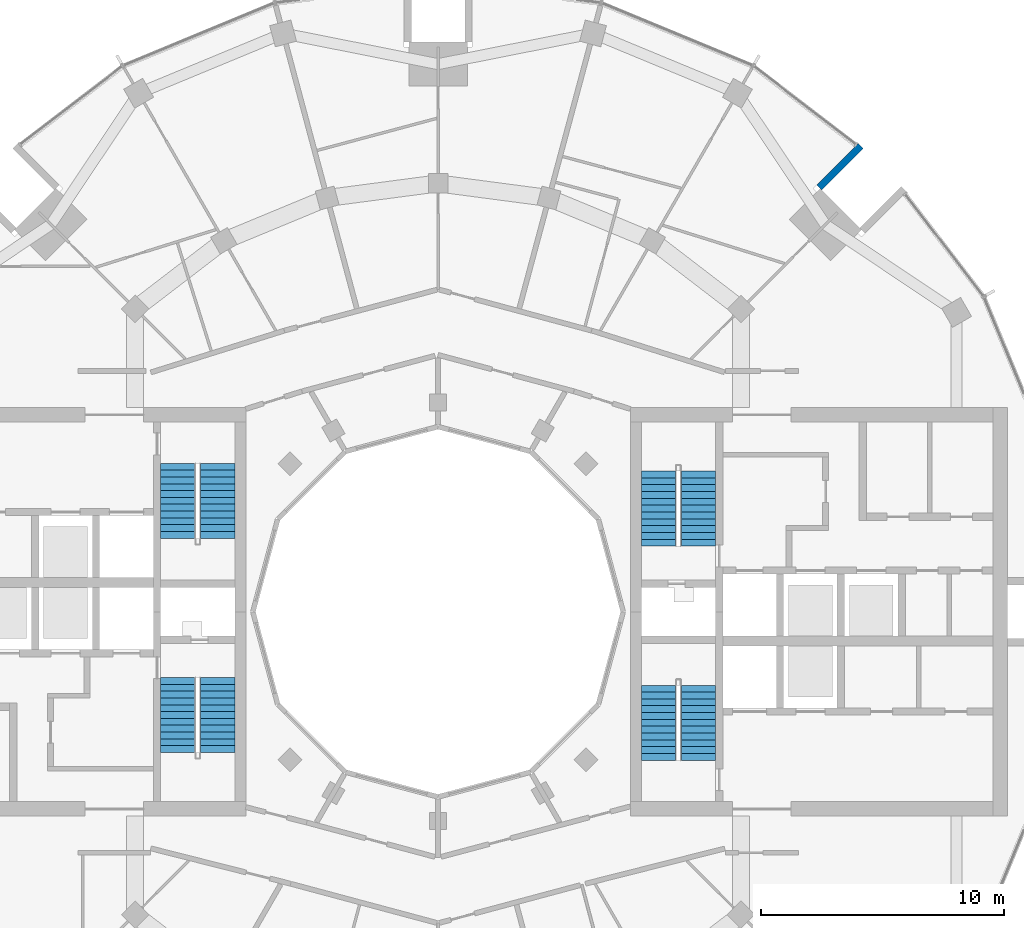
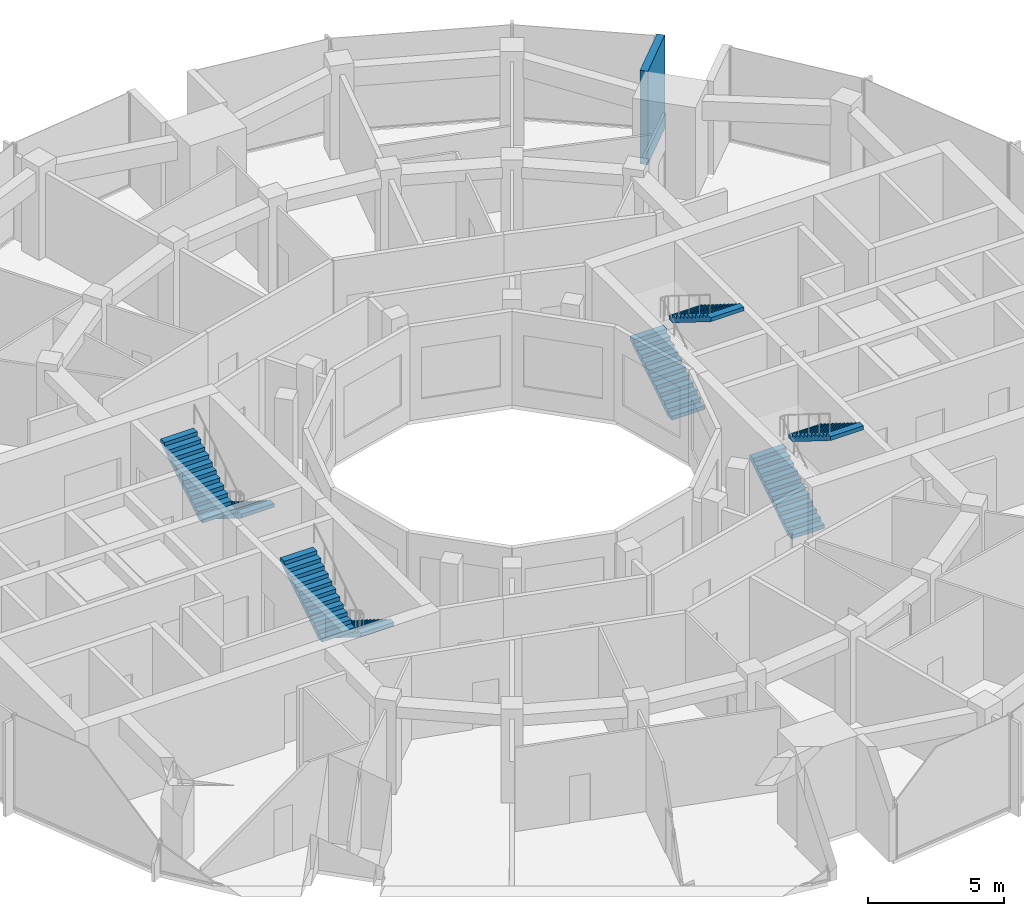
# One storey, part 13 of 15: 8 stair flights, 1 wall, 4 elements without a shape of their own.
"""IFC4 building model written with IfcOpenShell, lengths in metres."""

from ifc_helpers import new_model, si_unit, direction, frame, frame_2d, origin, place, context, subcontext, project, spatial, polyline, rectangle, outline, extrude, material, layer, layer_set, type_object, element, aggregate, save


model = new_model("IFC4")

# Units and contexts
model_context = context("Model", 3, precision=1e-05, world=origin(), true_north=direction((0.0, 1.0)))
body_context = subcontext(model_context, "Body", "Model", "MODEL_VIEW")
ifc_project = project(units=[si_unit("LENGTHUNIT", "METRE"), si_unit("AREAUNIT", "SQUARE_METRE"), si_unit("VOLUMEUNIT", "CUBIC_METRE"), si_unit("PLANEANGLEUNIT", "RADIAN"), si_unit("MASSUNIT", "GRAM", prefix="KILO")], contexts=[model_context])

# Site, building, storey
site_placement = place(None, origin())
site = spatial("IfcSite", under=ifc_project, at=site_placement, CompositionType="ELEMENT")
building_placement = place(site_placement, origin())
building = spatial("IfcBuilding", under=site, at=building_placement, Name="Torre Brocal", CompositionType="ELEMENT")
storey_placement = place(building_placement, frame((0.0, 0.0, 237.300048828125)))
storey = spatial("IfcBuildingStorey", under=building, at=storey_placement, Name="L54", CompositionType="ELEMENT", Elevation=237.300048828125)

# Wall
ifc_material_1 = material(Name="Concrete C60", Category="concrete")
ifc_layer_1 = layer(ifc_material_1, 0.300048828125)
ifc_layer_set_1 = layer_set([ifc_layer_1], Name="Concrete C60")
wall_type = type_object("IfcWallType", Name="NOTCH RETURN WALL 300 C60", PredefinedType="NOTDEFINED", material=ifc_layer_set_1)
wall_placement = place(storey_placement, frame((95.662353515625, 92.43017578125, 0.0), z_axis=(0.0, 0.0, 1.0), x_axis=(0.707106781187, 0.707106781187, 0.0)))
element("IfcWall", 1, at=wall_placement, inside=storey, type_object=wall_type, Name="NOTCH RETURN WALL", PredefinedType="NOTDEFINED", context=body_context, shape_type="SweptSolid", body=[
    extrude(rectangle(XDim=2.415771484375, YDim=0.300048828125, at=frame_2d((1.2080078125, 0.0))), origin(), (0.0, 0.0, 1.0), 4.199951171875),
])

# Stair, stair flights
ifc_material_2 = material(Name="Concrete C50", Category="concrete")
stair_type = type_object("IfcStairType", Name="EXIT STAIR", PredefinedType="HALF_TURN_STAIR", material=ifc_material_2)
stair_1_placement = place(storey_placement, origin())
stair_1 = element("IfcStair", 2, at=stair_1_placement, inside=storey, type_object=stair_type, Name="EXIT STAIR ST1", PredefinedType="HALF_TURN_STAIR")
ifc_material_3 = material(Name="Concrete C50", Category="concrete")
ifc_layer_2 = layer(ifc_material_3, 0.14990234375)
ifc_layer_set_2 = layer_set([ifc_layer_2], Name="Concrete C50")
stair_flight_type = type_object("IfcStairFlightType", Name="STAIR FLIGHT", PredefinedType="STRAIGHT", material=ifc_layer_set_2)
stair_flight_1_placement = place(storey_placement, frame((89.050048828125, 77.699951171875, 0.0), z_axis=(0.0, 0.0, 1.0), x_axis=(0.0, 1.0, 0.0)))
stair_flight_1 = element("IfcStairFlight", 3, at=stair_flight_1_placement, type_object=stair_flight_type, Name="ST1 flight 1", NumberOfRisers=12, NumberOfTreads=11, PredefinedType="STRAIGHT", RiserHeight=0.175, TreadLength=0.28, context=body_context, shape_type="SweptSolid", body=[
    extrude(outline(polyline([(0.0, 0.0), (0.0, 0.175048828125), (0.280029296875, 0.175048828125), (0.280029296875, 0.35009765625), (0.56005859375, 0.35009765625), (0.56005859375, 0.52490234375), (0.840087890625, 0.52490234375), (0.840087890625, 0.699951171875), (1.1201171875, 0.699951171875), (1.1201171875, 0.875), (1.39990234375, 0.875), (1.39990234375, 1.050048828125), (1.679931640625, 1.050048828125), (1.679931640625, 1.22509765625), (1.9599609375, 1.22509765625), (1.9599609375, 1.39990234375), (2.239990234375, 1.39990234375), (2.239990234375, 1.574951171875), (2.52001953125, 1.574951171875), (2.52001953125, 1.75), (2.800048828125, 1.75), (2.800048828125, 1.925048828125), (3.080078125, 1.925048828125), (3.080078125, 2.10009765625), (3.080078125, 1.748291015625), (0.28271484375, 0.0), (0.0, 0.0)])), frame((0.0, 0.699951171875, 0.0), z_axis=(0.0, -1.0, 0.0), x_axis=(1.0, 0.0, 0.0)), (0.0, 0.0, 1.0), 1.39990234375),
])
stair_flight_2_placement = place(storey_placement, frame((90.699951171875, 80.780029296875, 2.099853515625), z_axis=(0.0, 0.0, 1.0), x_axis=(0.0, -1.0, 0.0)))
stair_flight_2 = element("IfcStairFlight", 4, at=stair_flight_2_placement, type_object=stair_flight_type, Name="ST1 flight 2", NumberOfRisers=12, NumberOfTreads=11, PredefinedType="STRAIGHT", RiserHeight=0.175, TreadLength=0.28, context=body_context, shape_type="SweptSolid", body=[
    extrude(outline(polyline([(0.0, 0.0), (0.0, 0.175048828125), (0.280029296875, 0.175048828125), (0.280029296875, 0.35009765625), (0.56005859375, 0.35009765625), (0.56005859375, 0.52490234375), (0.840087890625, 0.52490234375), (0.840087890625, 0.699951171875), (1.1201171875, 0.699951171875), (1.1201171875, 0.875), (1.39990234375, 0.875), (1.39990234375, 1.050048828125), (1.679931640625, 1.050048828125), (1.679931640625, 1.22509765625), (1.9599609375, 1.22509765625), (1.9599609375, 1.39990234375), (2.239990234375, 1.39990234375), (2.239990234375, 1.574951171875), (2.52001953125, 1.574951171875), (2.52001953125, 1.75), (2.800048828125, 1.75), (2.800048828125, 1.925048828125), (3.080078125, 1.925048828125), (3.080078125, 2.10009765625), (3.080078125, 1.748291015625), (0.28271484375, 0.0), (0.0, 0.0)])), frame((0.0, 0.699951171875, 0.0), z_axis=(0.0, -1.0, 0.0), x_axis=(1.0, 0.0, 0.0)), (0.0, 0.0, 1.0), 1.39990234375),
])
aggregate(stair_1, [stair_flight_1, stair_flight_2])

stair_2_placement = place(storey_placement, origin())
stair_2 = element("IfcStair", 5, at=stair_2_placement, inside=storey, type_object=stair_type, Name="EXIT STAIR ST2", PredefinedType="HALF_TURN_STAIR")
stair_flight_3_placement = place(storey_placement, frame((89.050048828125, 68.89990234375, 0.0), z_axis=(0.0, 0.0, 1.0), x_axis=(0.0, 1.0, 0.0)))
stair_flight_3 = element("IfcStairFlight", 6, at=stair_flight_3_placement, type_object=stair_flight_type, Name="ST2 flight 1", NumberOfRisers=12, NumberOfTreads=11, PredefinedType="STRAIGHT", RiserHeight=0.175, TreadLength=0.28, context=body_context, shape_type="SweptSolid", body=[
    extrude(outline(polyline([(0.0, 0.0), (0.0, 0.175048828125), (0.280029296875, 0.175048828125), (0.280029296875, 0.35009765625), (0.56005859375, 0.35009765625), (0.56005859375, 0.52490234375), (0.840087890625, 0.52490234375), (0.840087890625, 0.699951171875), (1.1201171875, 0.699951171875), (1.1201171875, 0.875), (1.39990234375, 0.875), (1.39990234375, 1.050048828125), (1.679931640625, 1.050048828125), (1.679931640625, 1.22509765625), (1.9599609375, 1.22509765625), (1.9599609375, 1.39990234375), (2.239990234375, 1.39990234375), (2.239990234375, 1.574951171875), (2.52001953125, 1.574951171875), (2.52001953125, 1.75), (2.800048828125, 1.75), (2.800048828125, 1.925048828125), (3.080078125, 1.925048828125), (3.080078125, 2.10009765625), (3.080078125, 1.748291015625), (0.28271484375, 0.0), (0.0, 0.0)])), frame((0.0, 0.699951171875, 0.0), z_axis=(0.0, -1.0, 0.0), x_axis=(1.0, 0.0, 0.0)), (0.0, 0.0, 1.0), 1.39990234375),
])
stair_flight_4_placement = place(storey_placement, frame((90.699951171875, 71.97998046875, 2.099853515625), z_axis=(0.0, 0.0, 1.0), x_axis=(0.0, -1.0, 0.0)))
stair_flight_4 = element("IfcStairFlight", 7, at=stair_flight_4_placement, type_object=stair_flight_type, Name="ST2 flight 2", NumberOfRisers=12, NumberOfTreads=11, PredefinedType="STRAIGHT", RiserHeight=0.175, TreadLength=0.28, context=body_context, shape_type="SweptSolid", body=[
    extrude(outline(polyline([(0.0, 0.0), (0.0, 0.175048828125), (0.280029296875, 0.175048828125), (0.280029296875, 0.35009765625), (0.56005859375, 0.35009765625), (0.56005859375, 0.52490234375), (0.840087890625, 0.52490234375), (0.840087890625, 0.699951171875), (1.1201171875, 0.699951171875), (1.1201171875, 0.875), (1.39990234375, 0.875), (1.39990234375, 1.050048828125), (1.679931640625, 1.050048828125), (1.679931640625, 1.22509765625), (1.9599609375, 1.22509765625), (1.9599609375, 1.39990234375), (2.239990234375, 1.39990234375), (2.239990234375, 1.574951171875), (2.52001953125, 1.574951171875), (2.52001953125, 1.75), (2.800048828125, 1.75), (2.800048828125, 1.925048828125), (3.080078125, 1.925048828125), (3.080078125, 2.10009765625), (3.080078125, 1.748291015625), (0.28271484375, 0.0), (0.0, 0.0)])), frame((0.0, 0.699951171875, 0.0), z_axis=(0.0, -1.0, 0.0), x_axis=(1.0, 0.0, 0.0)), (0.0, 0.0, 1.0), 1.39990234375),
])
aggregate(stair_2, [stair_flight_3, stair_flight_4])

stair_3_placement = place(storey_placement, origin())
stair_3 = element("IfcStair", 8, at=stair_3_placement, inside=storey, type_object=stair_type, Name="EXIT STAIR ST3", PredefinedType="HALF_TURN_STAIR")
stair_flight_5_placement = place(storey_placement, frame((70.949951171875, 72.300048828125, 0.0), z_axis=(0.0, 0.0, 1.0), x_axis=(0.0, -1.0, 0.0)))
stair_flight_5 = element("IfcStairFlight", 9, at=stair_flight_5_placement, type_object=stair_flight_type, Name="ST3 flight 1", NumberOfRisers=12, NumberOfTreads=11, PredefinedType="STRAIGHT", RiserHeight=0.175, TreadLength=0.28, context=body_context, shape_type="SweptSolid", body=[
    extrude(outline(polyline([(0.0, 0.0), (0.0, 0.175048828125), (0.280029296875, 0.175048828125), (0.280029296875, 0.35009765625), (0.56005859375, 0.35009765625), (0.56005859375, 0.52490234375), (0.840087890625, 0.52490234375), (0.840087890625, 0.699951171875), (1.1201171875, 0.699951171875), (1.1201171875, 0.875), (1.39990234375, 0.875), (1.39990234375, 1.050048828125), (1.679931640625, 1.050048828125), (1.679931640625, 1.22509765625), (1.9599609375, 1.22509765625), (1.9599609375, 1.39990234375), (2.239990234375, 1.39990234375), (2.239990234375, 1.574951171875), (2.52001953125, 1.574951171875), (2.52001953125, 1.75), (2.800048828125, 1.75), (2.800048828125, 1.925048828125), (3.080078125, 1.925048828125), (3.080078125, 2.10009765625), (3.080078125, 1.748291015625), (0.28271484375, 0.0), (0.0, 0.0)])), frame((0.0, 0.699951171875, 0.0), z_axis=(0.0, -1.0, 0.0), x_axis=(1.0, 0.0, 0.0)), (0.0, 0.0, 1.0), 1.39990234375),
])
stair_flight_6_placement = place(storey_placement, frame((69.300048828125, 69.219970703125, 2.099853515625), z_axis=(0.0, 0.0, 1.0), x_axis=(0.0, 1.0, 0.0)))
stair_flight_6 = element("IfcStairFlight", 10, at=stair_flight_6_placement, type_object=stair_flight_type, Name="ST3 flight 2", NumberOfRisers=12, NumberOfTreads=11, PredefinedType="STRAIGHT", RiserHeight=0.175, TreadLength=0.28, context=body_context, shape_type="SweptSolid", body=[
    extrude(outline(polyline([(0.0, 0.0), (0.0, 0.175048828125), (0.280029296875, 0.175048828125), (0.280029296875, 0.35009765625), (0.56005859375, 0.35009765625), (0.56005859375, 0.52490234375), (0.840087890625, 0.52490234375), (0.840087890625, 0.699951171875), (1.1201171875, 0.699951171875), (1.1201171875, 0.875), (1.39990234375, 0.875), (1.39990234375, 1.050048828125), (1.679931640625, 1.050048828125), (1.679931640625, 1.22509765625), (1.9599609375, 1.22509765625), (1.9599609375, 1.39990234375), (2.239990234375, 1.39990234375), (2.239990234375, 1.574951171875), (2.52001953125, 1.574951171875), (2.52001953125, 1.75), (2.800048828125, 1.75), (2.800048828125, 1.925048828125), (3.080078125, 1.925048828125), (3.080078125, 2.10009765625), (3.080078125, 1.748291015625), (0.28271484375, 0.0), (0.0, 0.0)])), frame((0.0, 0.699951171875, 0.0), z_axis=(0.0, -1.0, 0.0), x_axis=(1.0, 0.0, 0.0)), (0.0, 0.0, 1.0), 1.39990234375),
])
aggregate(stair_3, [stair_flight_5, stair_flight_6])

stair_4_placement = place(storey_placement, origin())
stair_4 = element("IfcStair", 11, at=stair_4_placement, inside=storey, type_object=stair_type, Name="EXIT STAIR ST4", PredefinedType="HALF_TURN_STAIR")
stair_flight_7_placement = place(storey_placement, frame((70.949951171875, 81.10009765625, 0.0), z_axis=(0.0, 0.0, 1.0), x_axis=(0.0, -1.0, 0.0)))
stair_flight_7 = element("IfcStairFlight", 12, at=stair_flight_7_placement, type_object=stair_flight_type, Name="ST4 flight 1", NumberOfRisers=12, NumberOfTreads=11, PredefinedType="STRAIGHT", RiserHeight=0.175, TreadLength=0.28, context=body_context, shape_type="SweptSolid", body=[
    extrude(outline(polyline([(0.0, 0.0), (0.0, 0.175048828125), (0.280029296875, 0.175048828125), (0.280029296875, 0.35009765625), (0.56005859375, 0.35009765625), (0.56005859375, 0.52490234375), (0.840087890625, 0.52490234375), (0.840087890625, 0.699951171875), (1.1201171875, 0.699951171875), (1.1201171875, 0.875), (1.39990234375, 0.875), (1.39990234375, 1.050048828125), (1.679931640625, 1.050048828125), (1.679931640625, 1.22509765625), (1.9599609375, 1.22509765625), (1.9599609375, 1.39990234375), (2.239990234375, 1.39990234375), (2.239990234375, 1.574951171875), (2.52001953125, 1.574951171875), (2.52001953125, 1.75), (2.800048828125, 1.75), (2.800048828125, 1.925048828125), (3.080078125, 1.925048828125), (3.080078125, 2.10009765625), (3.080078125, 1.748291015625), (0.28271484375, 0.0), (0.0, 0.0)])), frame((0.0, 0.699951171875, 0.0), z_axis=(0.0, -1.0, 0.0), x_axis=(1.0, 0.0, 0.0)), (0.0, 0.0, 1.0), 1.39990234375),
])
stair_flight_8_placement = place(storey_placement, frame((69.300048828125, 78.02001953125, 2.099853515625), z_axis=(0.0, 0.0, 1.0), x_axis=(0.0, 1.0, 0.0)))
stair_flight_8 = element("IfcStairFlight", 13, at=stair_flight_8_placement, type_object=stair_flight_type, Name="ST4 flight 2", NumberOfRisers=12, NumberOfTreads=11, PredefinedType="STRAIGHT", RiserHeight=0.175, TreadLength=0.28, context=body_context, shape_type="SweptSolid", body=[
    extrude(outline(polyline([(0.0, 0.0), (0.0, 0.175048828125), (0.280029296875, 0.175048828125), (0.280029296875, 0.35009765625), (0.56005859375, 0.35009765625), (0.56005859375, 0.52490234375), (0.840087890625, 0.52490234375), (0.840087890625, 0.699951171875), (1.1201171875, 0.699951171875), (1.1201171875, 0.875), (1.39990234375, 0.875), (1.39990234375, 1.050048828125), (1.679931640625, 1.050048828125), (1.679931640625, 1.22509765625), (1.9599609375, 1.22509765625), (1.9599609375, 1.39990234375), (2.239990234375, 1.39990234375), (2.239990234375, 1.574951171875), (2.52001953125, 1.574951171875), (2.52001953125, 1.75), (2.800048828125, 1.75), (2.800048828125, 1.925048828125), (3.080078125, 1.925048828125), (3.080078125, 2.10009765625), (3.080078125, 1.748291015625), (0.28271484375, 0.0), (0.0, 0.0)])), frame((0.0, 0.699951171875, 0.0), z_axis=(0.0, -1.0, 0.0), x_axis=(1.0, 0.0, 0.0)), (0.0, 0.0, 1.0), 1.39990234375),
])
aggregate(stair_4, [stair_flight_7, stair_flight_8])

save(model, "model.ifc")
